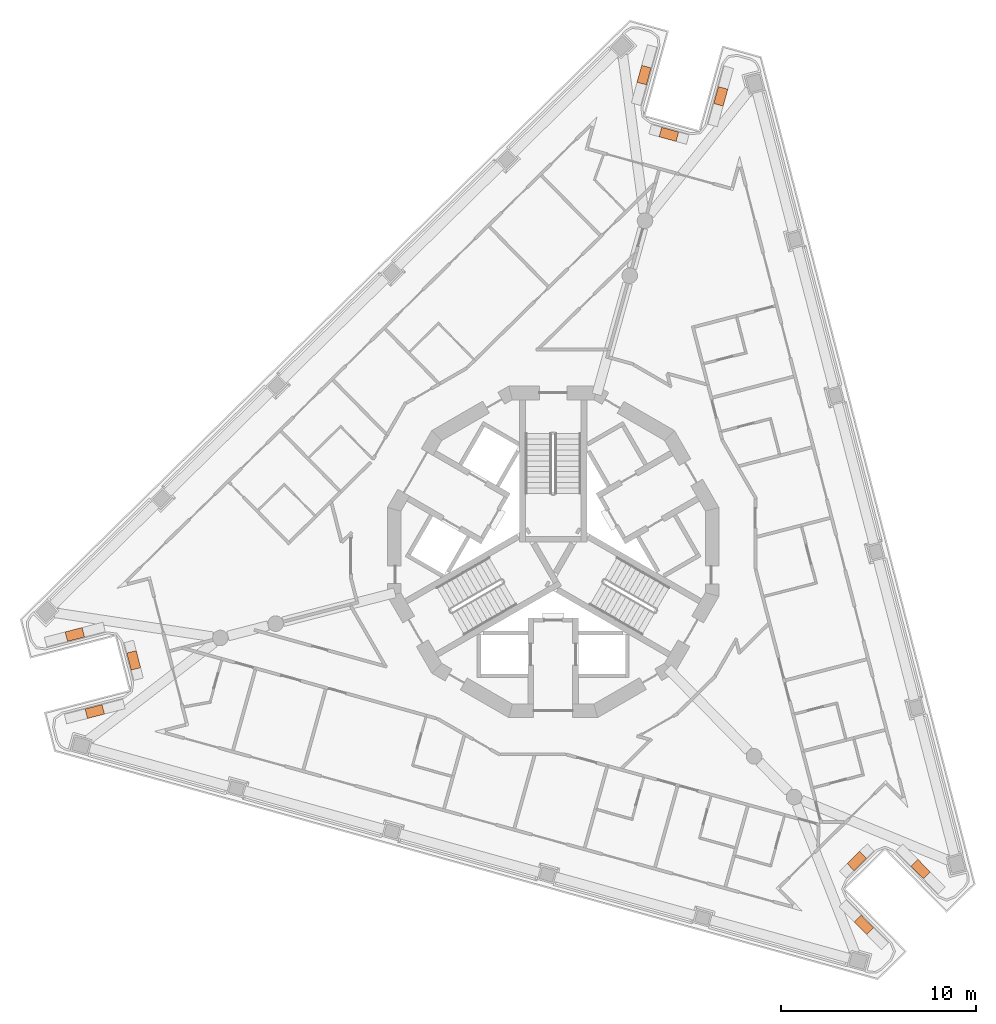
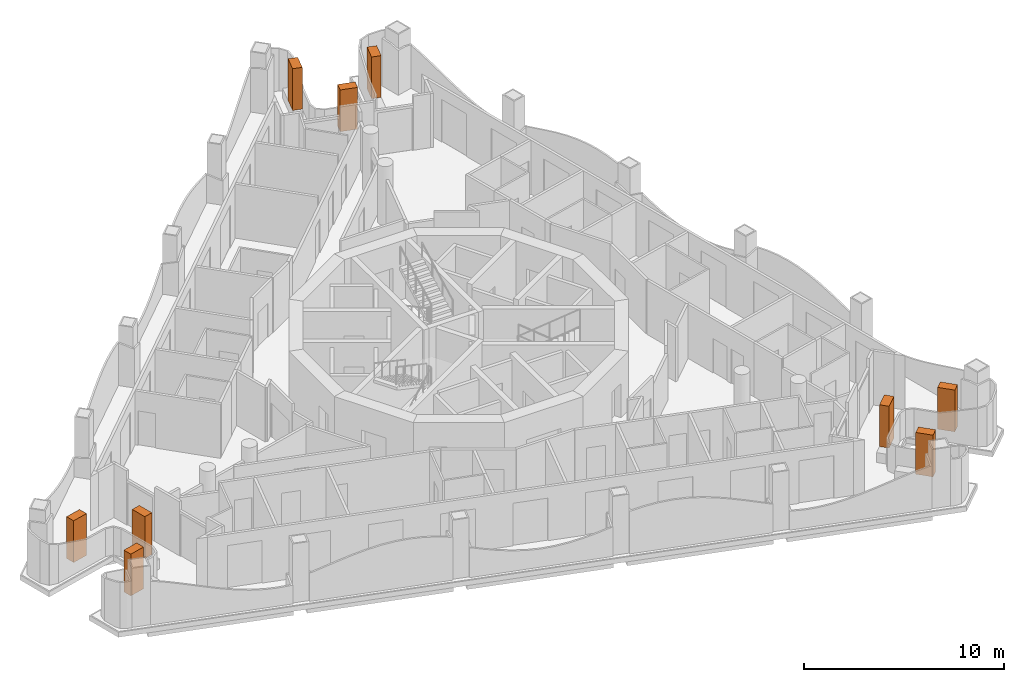
# One storey, part 14 of 14: 9 geographic elements.
"""IFC4 building model written with IfcOpenShell, lengths in metres."""

from ifc_helpers import new_model, si_unit, direction, frame, origin, origin_2d, place, context, subcontext, project, spatial, rectangle, extrude, element, save


model = new_model("IFC4")

# Units and contexts
model_context = context("Model", 3, precision=1e-05, world=origin(), true_north=direction((0.0, 1.0)))
body_context = subcontext(model_context, "Body", "Model", "MODEL_VIEW")
ifc_project = project(units=[si_unit("LENGTHUNIT", "METRE"), si_unit("AREAUNIT", "SQUARE_METRE"), si_unit("VOLUMEUNIT", "CUBIC_METRE"), si_unit("PLANEANGLEUNIT", "RADIAN"), si_unit("MASSUNIT", "GRAM", prefix="KILO")], contexts=[model_context])

# Site, building, storey
site_placement = place(None, origin())
site = spatial("IfcSite", under=ifc_project, at=site_placement, CompositionType="ELEMENT")
building_placement = place(site_placement, origin())
building = spatial("IfcBuilding", under=site, at=building_placement, Name="Trine Commons Tower", CompositionType="ELEMENT")
storey_placement = place(building_placement, frame((0.0, 0.0, 252.89990234375)))
storey = spatial("IfcBuildingStorey", under=building, at=storey_placement, Name="L66", CompositionType="ELEMENT", Elevation=252.89990234375)

# Geographic elements
for number, where, z_axis, x_axis, name in (
    (1, (56.49560546875, 54.314208984375, 0.60009765625), (0.0, 0.0, 1.0), (0.968152010186, 0.250363106652, 0.0), "Tree 1.1"),
    (2, (58.4921875, 56.937744140625, 0.60009765625), (0.0, 0.0, 1.0), (-0.250410419186, 0.968139773981, 0.0), "Tree 2.1"),
    (3, (55.473876953125, 58.264404296875, 0.60009765625), (0.0, 0.0, 1.0), (-0.968152010186, -0.250363106652, 0.0), "Tree 3.1"),
    (4, (84.6630859375, 86.948486328125, 0.60009765625), (0.0, 0.0, 1.0), (-0.26724005793, -0.963629986788, 0.0), "Tree 4.1"),
    (5, (85.936767578125, 83.907470703125, 0.60009765625), (0.0, 0.0, 1.0), (0.963633718069, -0.267226603091, 0.0), "Tree 5.1"),
    (6, (88.5947265625, 85.85791015625, 0.60009765625), (0.0, 0.0, 1.0), (0.26724005793, 0.963629986788, 0.0), "Tree 6.1"),
    (7, (98.84130859375, 46.2373046875, 0.60009765625), (0.0, 0.0, 1.0), (-0.700898060502, 0.713261458923, 0.0), "Tree 7.1"),
    (8, (95.57080078125, 46.65478515625, 0.60009765625), (0.0, 0.0, 1.0), (-0.713239439209, -0.700920467925, 0.0), "Tree 8.1"),
    (9, (95.931396484375, 43.377685546875, 0.60009765625), (0.0, 0.0, 1.0), (0.700898060502, -0.713261458923, 0.0), "Tree 9.1"),
):
    element("IfcGeographicElement", number, at=place(storey_placement, frame(where, z_axis=z_axis, x_axis=x_axis)), inside=storey, Name=name, ObjectType="TREE Tabebuia rosea", PredefinedType="USERDEFINED", context=body_context, shape_type="SweptSolid", body=[
        extrude(rectangle(XDim=0.89990234375, YDim=0.5, at=origin_2d()), origin(), (0.0, 0.0, 1.0), 2.550048828125),
    ])

save(model, "model.ifc")
